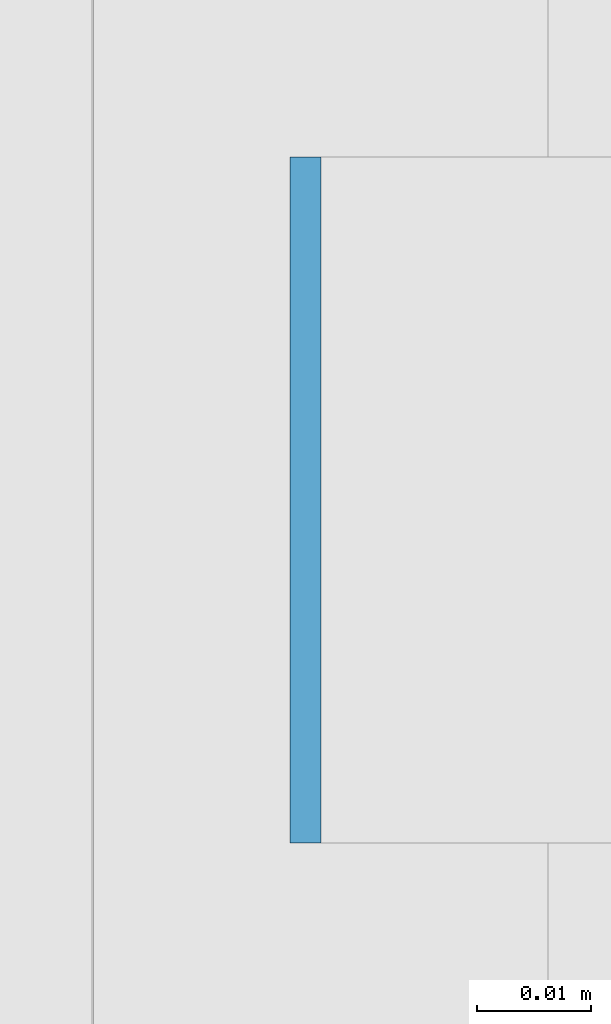
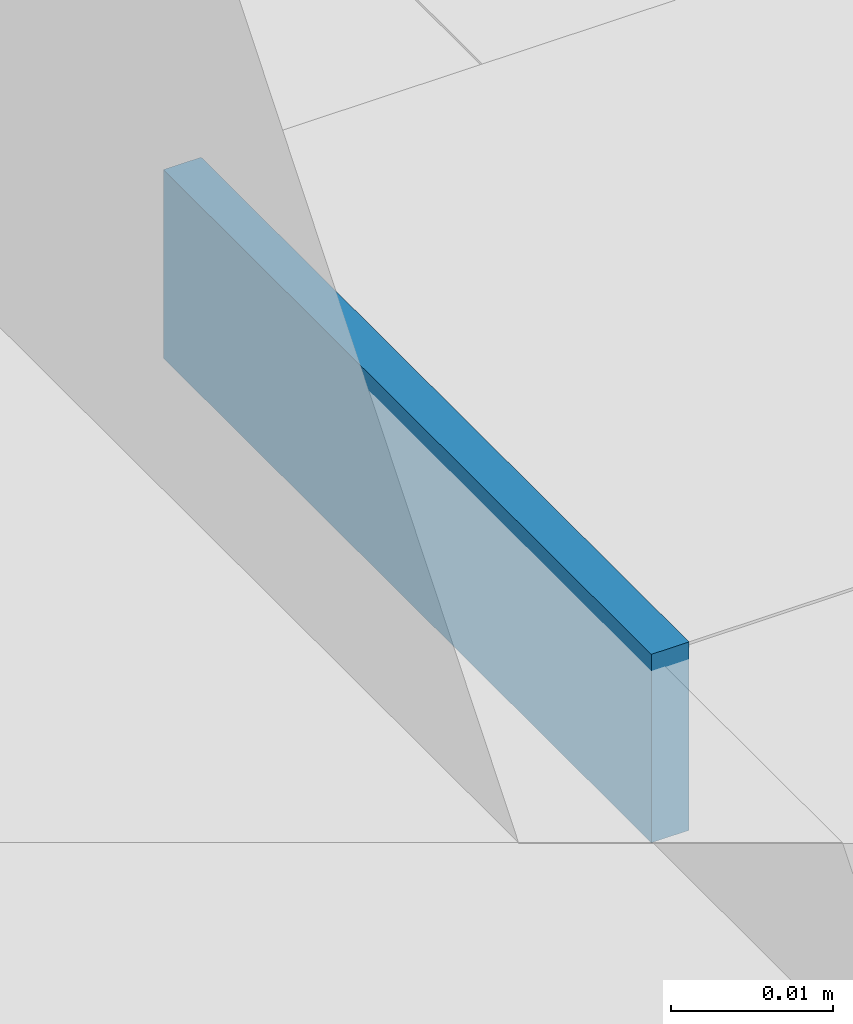
# One storey, part 529 of 646: 1 discrete accessory.
"""IFC4 building model written with IfcOpenShell, lengths in metres."""

from ifc_helpers import new_model, si_unit, direction, frame, origin, origin_2d, place, context, subcontext, project, spatial, rectangle, extrude, material, type_object, element, save


model = new_model("IFC4")

# Units and contexts
model_context = context("Model", 3, precision=1e-05, world=origin(), true_north=direction((0.0, 1.0)))
body_context = subcontext(model_context, "Body", "Model", "MODEL_VIEW")
ifc_project = project(units=[si_unit("LENGTHUNIT", "METRE"), si_unit("AREAUNIT", "SQUARE_METRE"), si_unit("VOLUMEUNIT", "CUBIC_METRE"), si_unit("PLANEANGLEUNIT", "RADIAN"), si_unit("MASSUNIT", "GRAM", prefix="KILO")], contexts=[model_context])

# Site, building, storey
site_placement = place(None, origin())
site = spatial("IfcSite", under=ifc_project, at=site_placement, CompositionType="ELEMENT")
building_placement = place(site_placement, origin())
building = spatial("IfcBuilding", under=site, at=building_placement, Name="Silverbay Arena", CompositionType="ELEMENT")
storey_placement = place(building_placement, frame((0.0, 0.0, 33.5)))
storey = spatial("IfcBuildingStorey", under=building, at=storey_placement, Name="L05", CompositionType="ELEMENT", Elevation=33.5)

# Discrete accessory
ifc_material = material(Name="Steel S355", Category="steel")
discrete_accessory_type = type_object("IfcDiscreteAccessoryType", Name="Steel bracket plate", PredefinedType="BRACKET", material=ifc_material)
discrete_accessory_placement = place(storey_placement, frame((207.128662109375, 83.571533203125, 12.98583984375), z_axis=(0.0, 0.0, 1.0), x_axis=(1.0, 0.0, 0.0)))
element("IfcDiscreteAccessory", 1, at=discrete_accessory_placement, inside=storey, type_object=discrete_accessory_type, Name="Curtain wall packing plate", PredefinedType="BRACKET", context=body_context, shape_type="SweptSolid", body=[
    extrude(rectangle(XDim=0.002685546875, YDim=0.06005859375, at=origin_2d()), origin(), (0.0, 0.0, 1.0), 0.01416015625),
])

save(model, "model.ifc")
